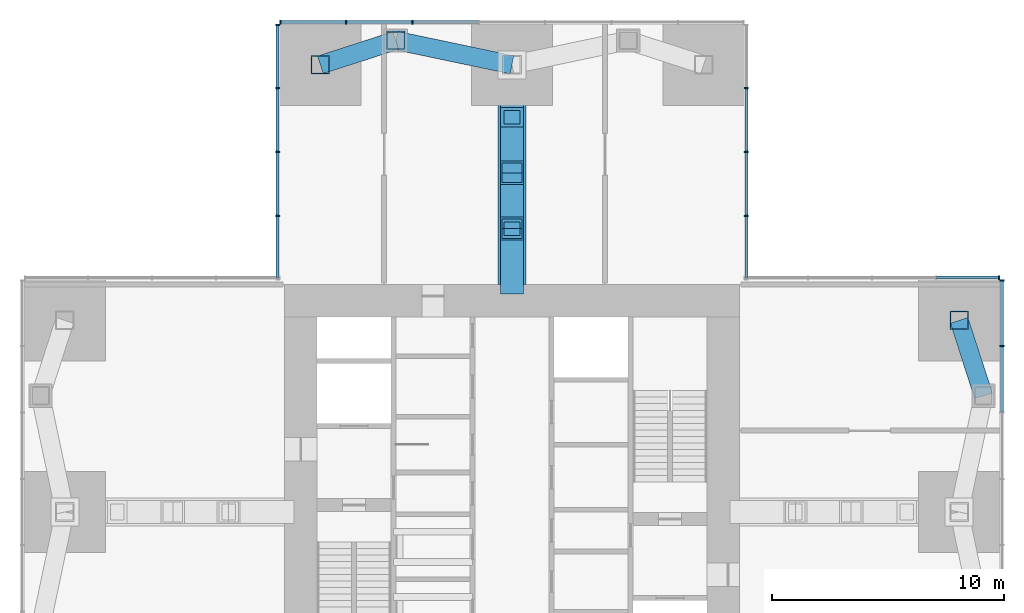
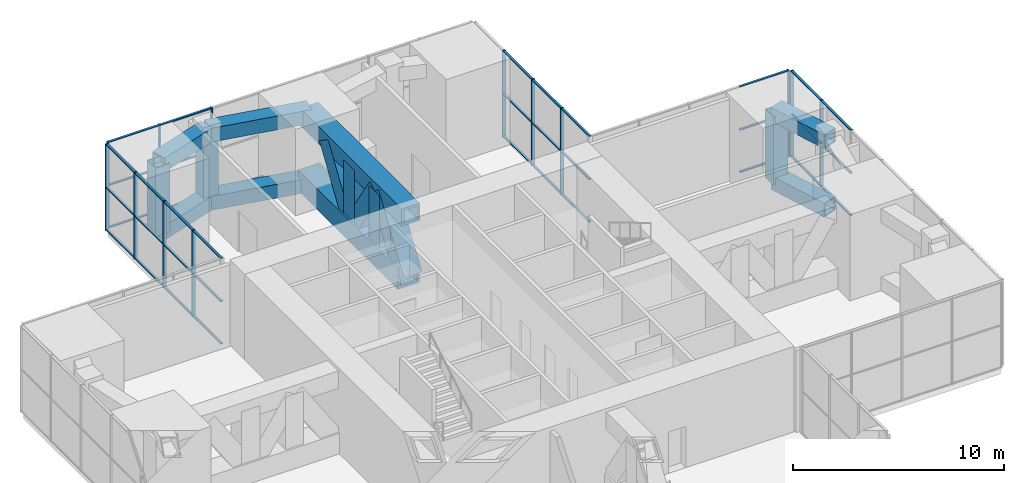
# One storey, part 6 of 12: 66 members, 5 elements without a shape of their own.
"""IFC4 building model written with IfcOpenShell, lengths in metres."""

import ifcopenshell
import ifcopenshell.guid

model = None  # the IFC model being written
_history = None  # IfcOwnerHistory: only IFC2X3 demands one
_inside = {}  # id of a spatial element -> (the spatial element, [elements in it])
_under = {}  # id of a project, library or spatial element -> (it, [spatial elements below it])
_declared = {}  # id of a project -> (the project, [libraries it declares])
_typed = {}  # id of a type object -> (the type object, [elements of that type])
_made_of = {}  # id of a material, layer set ... -> (it, [elements and type objects made of it])


def new_model(schema):
    """Start an empty IFC model of exactly this schema.

    Asked for "IFC4X3", IfcOpenShell would pick the latest addendum, in which some entities
    have other attributes; the version numbers below select the first issue.
    IFC2X3 requires an IfcOwnerHistory on every rooted entity: one is made here for all.
    """
    global model, _history
    if schema == "IFC4X3":
        model = ifcopenshell.file(schema_version=(4, 3, 0, 0))
    else:
        model = ifcopenshell.file(schema=schema)
    _inside.clear()
    _under.clear()
    _declared.clear()
    _typed.clear()
    _made_of.clear()
    _history = None
    if model.schema == "IFC2X3":
        org = make("IfcOrganization", Name="unknown")
        user = make(
            "IfcPersonAndOrganization",
            ThePerson=make("IfcPerson", FamilyName="unknown"),
            TheOrganization=org,
        )
        app = make(
            "IfcApplication",
            ApplicationDeveloper=org,
            Version="unknown",
            ApplicationFullName="unknown",
            ApplicationIdentifier="unknown",
        )
        _history = make(
            "IfcOwnerHistory",
            OwningUser=user,
            OwningApplication=app,
            ChangeAction="ADDED",
            CreationDate=0,
        )
    return model


def make(cls, **values):
    """One entity of the class cls with the attributes given. An attribute that is None is left unset."""
    return model.create_entity(
        cls, **{name: value for name, value in values.items() if value is not None}
    )


def rooted(cls, **values):
    """An entity with a GlobalId (a new one), such as an element, a storey or a relation."""
    return make(cls, GlobalId=ifcopenshell.guid.new(), OwnerHistory=_history, **values)


def si_unit(unit_type, name, prefix=None):
    """IfcSIUnit, for example si_unit("LENGTHUNIT", "METRE", prefix="MILLI")."""
    return make("IfcSIUnit", UnitType=unit_type, Prefix=prefix, Name=name)


def assignment(units):
    """IfcUnitAssignment: the units of a project."""
    return None if units is None else make("IfcUnitAssignment", Units=units)


def point(xyz):
    """IfcCartesianPoint."""
    return None if xyz is None else make("IfcCartesianPoint", Coordinates=xyz)


def direction(xyz):
    """IfcDirection."""
    return None if xyz is None else make("IfcDirection", DirectionRatios=xyz)


def frame(location, z_axis=None, x_axis=None):
    """IfcAxis2Placement3D, a coordinate frame: its origin and axes. An axis left out is left unset."""
    return make(
        "IfcAxis2Placement3D",
        Location=point(location),
        Axis=direction(z_axis),
        RefDirection=direction(x_axis),
    )


def frame_2d(location, x_axis=None):
    """IfcAxis2Placement2D, a coordinate frame in the plane: its origin and x axis."""
    return make(
        "IfcAxis2Placement2D", Location=point(location), RefDirection=direction(x_axis)
    )


def origin():
    """The frame at (0, 0, 0) with its axes left unset."""
    return frame((0.0, 0.0, 0.0))


def origin_2d():
    """The frame at (0, 0) in the plane with its x axis left unset."""
    return frame_2d((0.0, 0.0))


def place(relative_to, where):
    """IfcLocalPlacement: puts the frame where relative to a parent placement (None: the world)."""
    return make(
        "IfcLocalPlacement", PlacementRelTo=relative_to, RelativePlacement=where
    )


def context(
    kind, dimensions, precision=None, world=None, true_north=None, identifier=None
):
    """IfcGeometricRepresentationContext, for example the 3D "Model" context."""
    return make(
        "IfcGeometricRepresentationContext",
        ContextIdentifier=identifier,
        ContextType=kind,
        CoordinateSpaceDimension=dimensions,
        Precision=precision,
        WorldCoordinateSystem=world,
        TrueNorth=true_north,
    )


def subcontext(parent, identifier, kind, view, scale=None):
    """IfcGeometricRepresentationSubContext, for example "Body" below "Model"."""
    return make(
        "IfcGeometricRepresentationSubContext",
        ContextIdentifier=identifier,
        ContextType=kind,
        ParentContext=parent,
        TargetScale=scale,
        TargetView=view,
    )


def project(units=None, contexts=None):
    """IfcProject with its units and contexts."""
    return rooted(
        "IfcProject",
        Name="project",
        RepresentationContexts=contexts,
        UnitsInContext=assignment(units),
    )


def spatial(cls, under=None, at=None, **own):
    """A site, building, storey or space (cls), placed at a placement, below another one or the project."""
    s = rooted(cls, ObjectPlacement=at, **own)
    if under is not None:
        _under.setdefault(under.id(), (under, []))[1].append(s)
    return s


def profile(cls, at=None, kind="AREA", **sizes):
    """A parametric profile (cls). Its sizes go by their IFC names, for example OverallWidth=200.0."""
    return make(cls, ProfileType=kind, Position=at, **sizes)


def rectangle(**sizes):
    """IfcRectangleProfileDef."""
    return profile("IfcRectangleProfileDef", **sizes)


def hollow_rectangle(**sizes):
    """IfcRectangleHollowProfileDef."""
    return profile("IfcRectangleHollowProfileDef", **sizes)


def extrude(swept, where, along, depth):
    """IfcExtrudedAreaSolid: the profile swept, set in the frame where, extruded along a direction by depth."""
    return make(
        "IfcExtrudedAreaSolid",
        SweptArea=swept,
        Position=where,
        ExtrudedDirection=direction(along),
        Depth=depth,
    )


def shape(context_of_items, identifier, shape_type, items):
    """IfcShapeRepresentation: the items that make up one representation, for example the "Body"."""
    return make(
        "IfcShapeRepresentation",
        ContextOfItems=context_of_items,
        RepresentationIdentifier=identifier,
        RepresentationType=shape_type,
        Items=items,
    )


def material(Name=None, Category=None):
    """IfcMaterial."""
    return make("IfcMaterial", Name=Name, Category=Category)


def material_profile(
    of_material, cross_section, Name=None, Category=None, Priority=None
):
    """IfcMaterialProfile: a cross section and its material."""
    return make(
        "IfcMaterialProfile",
        Name=Name,
        Material=of_material,
        Profile=cross_section,
        Priority=Priority,
        Category=Category,
    )


def profile_set(profiles, Name=None, composite=None):
    """IfcMaterialProfileSet."""
    return make(
        "IfcMaterialProfileSet",
        Name=Name,
        MaterialProfiles=profiles,
        CompositeProfile=composite,
    )


def made_of(thing, what):
    """Note that an element or type object is made of a material, layer set ...; save() writes the relation."""
    if what is not None:
        _made_of.setdefault(what.id(), (what, []))[1].append(thing)
    return thing


def type_object(cls, material=None, **own):
    """A type object (cls), such as IfcWallType, which elements share."""
    return made_of(rooted(cls, **own), material)


def element(
    cls,
    number,
    at=None,
    inside=None,
    cuts=None,
    type_object=None,
    material=None,
    context=None,
    identifier="Body",
    shape_type=None,
    held_by="IfcProductDefinitionShape",
    body=None,
    shapes=None,
    **own,
):
    """One element of the class cls, such as IfcWall. Its Tag is "e" and its number.

    at: its placement. inside: the storey or other place that contains it. cuts: it is an
    opening in that element (IfcRelVoidsElement). A single representation is given by context,
    identifier, shape_type and body (its items); several are given by shapes. held_by: the class
    of the entity that holds the representations. save() writes the other relations.
    """
    e = rooted(cls, Tag="e%d" % number, ObjectPlacement=at, **own)
    if body is not None:
        shapes = [shape(context, identifier, shape_type, body)]
    if shapes is not None:
        e.Representation = make(held_by, Representations=shapes)
    if inside is not None:
        _inside.setdefault(inside.id(), (inside, []))[1].append(e)
    if cuts is not None:
        rooted(
            "IfcRelVoidsElement", RelatingBuildingElement=cuts, RelatedOpeningElement=e
        )
    if type_object is not None:
        _typed.setdefault(type_object.id(), (type_object, []))[1].append(e)
    return made_of(e, material)


def aggregate(whole, parts):
    """IfcRelAggregates: a whole, such as a stair, and the parts it consists of."""
    return rooted("IfcRelAggregates", RelatingObject=whole, RelatedObjects=parts)


def save(model, path):
    """Write the relations noted so far, then the file.

    IfcRelAggregates (storeys below a building ...), IfcRelContainedInSpatialStructure (elements
    in a storey), IfcRelDefinesByType, IfcRelAssociatesMaterial and IfcRelDeclares: one each for
    every whole, place, type object, material and project.
    """
    for whole, parts in _under.values():
        aggregate(whole, parts)
    for where, things in _inside.values():
        rooted(
            "IfcRelContainedInSpatialStructure",
            RelatedElements=things,
            RelatingStructure=where,
        )
    for kind, things in _typed.values():
        rooted("IfcRelDefinesByType", RelatedObjects=things, RelatingType=kind)
    for what, things in _made_of.values():
        rooted("IfcRelAssociatesMaterial", RelatedObjects=things, RelatingMaterial=what)
    for by, libraries in _declared.values():
        rooted("IfcRelDeclares", RelatingContext=by, RelatedDefinitions=libraries)
    model.write(path)


model = new_model("IFC4")

# Units and contexts
model_context = context("Model", 3, precision=1e-05, world=origin(), true_north=direction((0.0, 1.0)))
body_context = subcontext(model_context, "Body", "Model", "MODEL_VIEW")
ifc_project = project(units=[si_unit("LENGTHUNIT", "METRE"), si_unit("AREAUNIT", "SQUARE_METRE"), si_unit("VOLUMEUNIT", "CUBIC_METRE"), si_unit("PLANEANGLEUNIT", "RADIAN"), si_unit("MASSUNIT", "GRAM", prefix="KILO")], contexts=[model_context])

# Site, building, storey
site_placement = place(None, origin())
site = spatial("IfcSite", under=ifc_project, at=site_placement, CompositionType="ELEMENT")
building_placement = place(site_placement, origin())
building = spatial("IfcBuilding", under=site, at=building_placement, Name="Svetlomir Tower", CompositionType="ELEMENT")
storey_placement = place(building_placement, frame((0.0, 0.0, 234.5)))
storey = spatial("IfcBuildingStorey", under=building, at=storey_placement, Name="L56", CompositionType="ELEMENT", Elevation=234.5)

# Members
ifc_material_1 = material(Name="Steel S355", Category="steel")
ifc_material_profile_1 = material_profile(ifc_material_1, hollow_rectangle(XDim=0.800048828125, YDim=0.800048828125, WallThickness=0.050048828125, at=origin_2d()), Name="BOX 800x800x50")
ifc_profile_set_1 = profile_set([ifc_material_profile_1], Name="Steel S355")
member_type_1 = type_object("IfcMemberType", Name="BELT FRAME CHORD BOX 800x800x50", PredefinedType="CHORD", material=ifc_profile_set_1)
for number, where, z_axis, x_axis, name in (
    (1, (12.75, 40.25, 0.39990234375), (0.951566360503, 0.307443428225, 0.0), (-0.307443428225, 0.951566360503, 0.0), "Belt frame N L56 bottom chord 1"),
    (2, (12.75, 40.25, 4.35009765625), (0.951566360503, 0.307443428225, 0.0), (-0.307443428225, 0.951566360503, 0.0), "Belt frame N L56 top chord 1"),
):
    element("IfcMember", number, at=place(storey_placement, frame(where, z_axis=z_axis, x_axis=x_axis)), inside=storey, type_object=member_type_1, Name=name, PredefinedType="CHORD", context=body_context, shape_type="SweptSolid", body=[
        extrude(hollow_rectangle(XDim=0.800048828125, YDim=0.800048828125, WallThickness=0.050048828125, at=origin_2d()), origin(), (0.0, 0.0, 1.0), 3.41552734375),
    ])
for number, where, z_axis, x_axis, name in (
    (3, (16.0, 41.300048828125, 0.39990234375), (0.978651574329, -0.205526387753, 0.0), (0.205526387753, 0.978651574329, 0.0), "Belt frame N L56 bottom chord 2"),
    (4, (16.0, 41.300048828125, 4.35009765625), (0.978651574329, -0.205526387753, 0.0), (0.205526387753, 0.978651574329, 0.0), "Belt frame N L56 top chord 2"),
):
    element("IfcMember", number, at=place(storey_placement, frame(where, z_axis=z_axis, x_axis=x_axis)), inside=storey, type_object=member_type_1, Name=name, PredefinedType="CHORD", context=body_context, shape_type="SweptSolid", body=[
        extrude(hollow_rectangle(XDim=0.800048828125, YDim=0.800048828125, WallThickness=0.050048828125, at=origin_2d()), origin(), (0.0, 0.0, 1.0), 5.109130859375),
    ])
for number, where, z_axis, x_axis, name in (
    (5, (41.300048828125, 26.0, 0.39990234375), (-0.307443428225, 0.951566360503, 0.0), (-0.951566360503, -0.307443428225, 0.0), "Belt frame E L56 bottom chord 4"),
    (6, (41.300048828125, 26.0, 4.35009765625), (-0.307443428225, 0.951566360503, 0.0), (-0.951566360503, -0.307443428225, 0.0), "Belt frame E L56 top chord 4"),
):
    element("IfcMember", number, at=place(storey_placement, frame(where, z_axis=z_axis, x_axis=x_axis)), inside=storey, type_object=member_type_1, Name=name, PredefinedType="CHORD", context=body_context, shape_type="SweptSolid", body=[
        extrude(hollow_rectangle(XDim=0.800048828125, YDim=0.800048828125, WallThickness=0.050048828125, at=origin_2d()), origin(), (0.0, 0.0, 1.0), 3.41552734375),
    ])
ifc_material_2 = material(Name="Steel S355", Category="steel")
ifc_material_profile_2 = material_profile(ifc_material_2, hollow_rectangle(XDim=0.800048828125, YDim=0.800048828125, WallThickness=0.050048828125, at=origin_2d()), Name="BOX 800x800x50")
ifc_profile_set_2 = profile_set([ifc_material_profile_2], Name="Steel S355")
member_type_2 = type_object("IfcMemberType", Name="BELT FRAME POST BOX 800x800x50", PredefinedType="POST", material=ifc_profile_set_2)
for number, where, z_axis, x_axis, name in (
    (7, (12.75, 40.25, 0.39990234375), (0.0, 0.0, 1.0), (1.0, 0.0, 0.0), "Belt frame N L56 post 1"),
    (8, (16.0, 41.300048828125, 0.39990234375), (0.0, 0.0, 1.0), (1.0, 0.0, 0.0), "Belt frame N L56 post 2"),
    (9, (40.25, 29.25, 0.39990234375), (0.0, 0.0, 1.0), (1.0, 0.0, 0.0), "Belt frame E L56 post 5"),
):
    element("IfcMember", number, at=place(storey_placement, frame(where, z_axis=z_axis, x_axis=x_axis)), inside=storey, type_object=member_type_2, Name=name, PredefinedType="POST", context=body_context, shape_type="SweptSolid", body=[
        extrude(hollow_rectangle(XDim=0.800048828125, YDim=0.800048828125, WallThickness=0.050048828125, at=origin_2d()), origin(), (0.0, 0.0, 1.0), 3.9501953125),
    ])

# Curtain wall, members
ifc_material_3 = material(Name="Bronze anodised aluminium curtain wall", Category="aluminium")
curtain_wall_type = type_object("IfcCurtainWallType", Name="CURTAIN WALL CW3 PLANT LOUVRE", PredefinedType="NOTDEFINED", material=ifc_material_3)
curtain_wall_1_placement = place(storey_placement, origin())
curtain_wall_1 = element("IfcCurtainWall", 10, at=curtain_wall_1_placement, inside=storey, type_object=curtain_wall_type, Name="Curtain wall CW3 L56", PredefinedType="NOTDEFINED")
ifc_material_4 = material(Name="Bronze anodised aluminium", Category="aluminium")
ifc_material_profile_3 = material_profile(ifc_material_4, rectangle(XDim=0.06494140625, YDim=0.179931640625, at=origin_2d()), Name="AL 65x180")
ifc_profile_set_3 = profile_set([ifc_material_profile_3], Name="Bronze anodised aluminium 6063-T6")
member_type_3 = type_object("IfcMemberType", Name="CW3 MULLION 65x180", PredefinedType="MULLION", material=ifc_profile_set_3)
member_1_placement = place(storey_placement, frame((42.090087890625, 28.142822265625, 0.0), z_axis=(0.0, 0.0, 1.0), x_axis=(0.0, 1.0, 0.0)))
member_1 = element("IfcMember", 11, at=member_1_placement, type_object=member_type_3, Name="CW3 mullion 7", PredefinedType="MULLION", context=body_context, shape_type="SweptSolid", body=[
    extrude(rectangle(XDim=0.06494140625, YDim=0.179931640625, at=origin_2d()), origin(), (0.0, 0.0, 1.0), 5.0),
])
member_2_placement = place(storey_placement, frame((42.090087890625, 30.967529296875, 0.0), z_axis=(0.0, 0.0, 1.0), x_axis=(0.0, 1.0, 0.0)))
member_2 = element("IfcMember", 12, at=member_2_placement, type_object=member_type_3, Name="CW3 mullion 8", PredefinedType="MULLION", context=body_context, shape_type="SweptSolid", body=[
    extrude(rectangle(XDim=0.06494140625, YDim=0.179931640625, at=origin_2d()), origin(), (0.0, 0.0, 1.0), 5.0),
])

# Curtain wall, member
curtain_wall_2_placement = place(storey_placement, origin())
curtain_wall_2 = element("IfcCurtainWall", 13, at=curtain_wall_2_placement, inside=storey, type_object=curtain_wall_type, Name="Curtain wall CW3 L56", PredefinedType="NOTDEFINED")
member_3_placement = place(storey_placement, frame((41.967529296875, 31.090087890625, 0.0), z_axis=(0.0, 0.0, 1.0), x_axis=(-1.0, 0.0, 0.0)))
member_3 = element("IfcMember", 14, at=member_3_placement, type_object=member_type_3, Name="CW3 mullion 1", PredefinedType="MULLION", context=body_context, shape_type="SweptSolid", body=[
    extrude(rectangle(XDim=0.06494140625, YDim=0.179931640625, at=origin_2d()), origin(), (0.0, 0.0, 1.0), 5.0),
])

# Curtain wall, members
curtain_wall_3_placement = place(storey_placement, origin())
curtain_wall_3 = element("IfcCurtainWall", 15, at=curtain_wall_3_placement, inside=storey, type_object=curtain_wall_type, Name="Curtain wall CW3 L56", PredefinedType="NOTDEFINED")
member_4_placement = place(storey_placement, frame((31.090087890625, 33.75, 0.0), z_axis=(0.0, 0.0, 1.0), x_axis=(0.0, 1.0, 0.0)))
member_4 = element("IfcMember", 16, at=member_4_placement, type_object=member_type_3, Name="CW3 mullion 2", PredefinedType="MULLION", context=body_context, shape_type="SweptSolid", body=[
    extrude(rectangle(XDim=0.06494140625, YDim=0.179931640625, at=origin_2d()), origin(), (0.0, 0.0, 1.0), 5.0),
])
member_5_placement = place(storey_placement, frame((31.090087890625, 36.5, 0.0), z_axis=(0.0, 0.0, 1.0), x_axis=(0.0, 1.0, 0.0)))
member_5 = element("IfcMember", 17, at=member_5_placement, type_object=member_type_3, Name="CW3 mullion 3", PredefinedType="MULLION", context=body_context, shape_type="SweptSolid", body=[
    extrude(rectangle(XDim=0.06494140625, YDim=0.179931640625, at=origin_2d()), origin(), (0.0, 0.0, 1.0), 5.0),
])
member_6_placement = place(storey_placement, frame((31.090087890625, 39.25, 0.0), z_axis=(0.0, 0.0, 1.0), x_axis=(0.0, 1.0, 0.0)))
member_6 = element("IfcMember", 18, at=member_6_placement, type_object=member_type_3, Name="CW3 mullion 4", PredefinedType="MULLION", context=body_context, shape_type="SweptSolid", body=[
    extrude(rectangle(XDim=0.06494140625, YDim=0.179931640625, at=origin_2d()), origin(), (0.0, 0.0, 1.0), 5.0),
])

curtain_wall_4_placement = place(storey_placement, origin())
curtain_wall_4 = element("IfcCurtainWall", 19, at=curtain_wall_4_placement, inside=storey, type_object=curtain_wall_type, Name="Curtain wall CW3 L56", PredefinedType="NOTDEFINED")
member_7_placement = place(storey_placement, frame((16.71435546875, 42.090087890625, 0.0), z_axis=(0.0, 0.0, 1.0), x_axis=(-1.0, 0.0, 0.0)))
member_7 = element("IfcMember", 20, at=member_7_placement, type_object=member_type_3, Name="CW3 mullion 6", PredefinedType="MULLION", context=body_context, shape_type="SweptSolid", body=[
    extrude(rectangle(XDim=0.06494140625, YDim=0.179931640625, at=origin_2d()), origin(), (0.0, 0.0, 1.0), 5.0),
])
member_8_placement = place(storey_placement, frame((13.857177734375, 42.090087890625, 0.0), z_axis=(0.0, 0.0, 1.0), x_axis=(-1.0, 0.0, 0.0)))
member_8 = element("IfcMember", 21, at=member_8_placement, type_object=member_type_3, Name="CW3 mullion 7", PredefinedType="MULLION", context=body_context, shape_type="SweptSolid", body=[
    extrude(rectangle(XDim=0.06494140625, YDim=0.179931640625, at=origin_2d()), origin(), (0.0, 0.0, 1.0), 5.0),
])
member_9_placement = place(storey_placement, frame((11.032470703125, 42.090087890625, 0.0), z_axis=(0.0, 0.0, 1.0), x_axis=(-1.0, 0.0, 0.0)))
member_9 = element("IfcMember", 22, at=member_9_placement, type_object=member_type_3, Name="CW3 mullion 8", PredefinedType="MULLION", context=body_context, shape_type="SweptSolid", body=[
    extrude(rectangle(XDim=0.06494140625, YDim=0.179931640625, at=origin_2d()), origin(), (0.0, 0.0, 1.0), 5.0),
])

curtain_wall_5_placement = place(storey_placement, origin())
curtain_wall_5 = element("IfcCurtainWall", 23, at=curtain_wall_5_placement, inside=storey, type_object=curtain_wall_type, Name="Curtain wall CW3 L56", PredefinedType="NOTDEFINED")
member_10_placement = place(storey_placement, frame((10.909912109375, 41.967529296875, 0.0), z_axis=(0.0, 0.0, 1.0), x_axis=(0.0, -1.0, 0.0)))
member_10 = element("IfcMember", 24, at=member_10_placement, type_object=member_type_3, Name="CW3 mullion 1", PredefinedType="MULLION", context=body_context, shape_type="SweptSolid", body=[
    extrude(rectangle(XDim=0.06494140625, YDim=0.179931640625, at=origin_2d()), origin(), (0.0, 0.0, 1.0), 5.0),
])
member_11_placement = place(storey_placement, frame((10.909912109375, 39.25, 0.0), z_axis=(0.0, 0.0, 1.0), x_axis=(0.0, -1.0, 0.0)))
member_11 = element("IfcMember", 25, at=member_11_placement, type_object=member_type_3, Name="CW3 mullion 2", PredefinedType="MULLION", context=body_context, shape_type="SweptSolid", body=[
    extrude(rectangle(XDim=0.06494140625, YDim=0.179931640625, at=origin_2d()), origin(), (0.0, 0.0, 1.0), 5.0),
])
member_12_placement = place(storey_placement, frame((10.909912109375, 36.5, 0.0), z_axis=(0.0, 0.0, 1.0), x_axis=(0.0, -1.0, 0.0)))
member_12 = element("IfcMember", 26, at=member_12_placement, type_object=member_type_3, Name="CW3 mullion 3", PredefinedType="MULLION", context=body_context, shape_type="SweptSolid", body=[
    extrude(rectangle(XDim=0.06494140625, YDim=0.179931640625, at=origin_2d()), origin(), (0.0, 0.0, 1.0), 5.0),
])
member_13_placement = place(storey_placement, frame((10.909912109375, 33.75, 0.0), z_axis=(0.0, 0.0, 1.0), x_axis=(0.0, -1.0, 0.0)))
member_13 = element("IfcMember", 27, at=member_13_placement, type_object=member_type_3, Name="CW3 mullion 4", PredefinedType="MULLION", context=body_context, shape_type="SweptSolid", body=[
    extrude(rectangle(XDim=0.06494140625, YDim=0.179931640625, at=origin_2d()), origin(), (0.0, 0.0, 1.0), 5.0),
])

# Member
ifc_material_5 = material(Name="Bronze anodised aluminium", Category="aluminium")
ifc_material_profile_4 = material_profile(ifc_material_5, rectangle(XDim=0.1201171875, YDim=0.06494140625, at=origin_2d()), Name="AL 120x65")
ifc_profile_set_4 = profile_set([ifc_material_profile_4], Name="Bronze anodised aluminium 6063-T6")
member_type_4 = type_object("IfcMemberType", Name="CW3 TRANSOM 65x120", PredefinedType="USERDEFINED", material=ifc_profile_set_4)
member_14_placement = place(storey_placement, frame((42.090087890625, 25.318115234375, 0.032470703125), z_axis=(0.0, 1.0, 0.0), x_axis=(-1.0, 0.0, 0.0)))
member_14 = element("IfcMember", 28, at=member_14_placement, type_object=member_type_4, Name="CW3 transom 6.1", ObjectType="TRANSOM", PredefinedType="USERDEFINED", context=body_context, shape_type="SweptSolid", body=[
    extrude(rectangle(XDim=0.1201171875, YDim=0.06494140625, at=origin_2d()), origin(), (0.0, 0.0, 1.0), 2.792236328125),
])

member_15_placement = place(storey_placement, frame((42.090087890625, 25.318115234375, 2.483642578125), z_axis=(0.0, 1.0, 0.0), x_axis=(-1.0, 0.0, 0.0)))
member_15 = element("IfcMember", 29, at=member_15_placement, type_object=member_type_4, Name="CW3 transom 6.2", ObjectType="TRANSOM", PredefinedType="USERDEFINED", context=body_context, shape_type="SweptSolid", body=[
    extrude(rectangle(XDim=0.1201171875, YDim=0.06494140625, at=origin_2d()), origin(), (0.0, 0.0, 1.0), 2.792236328125),
])

member_16_placement = place(storey_placement, frame((42.090087890625, 25.318115234375, 4.967529296875), z_axis=(0.0, 1.0, 0.0), x_axis=(-1.0, 0.0, 0.0)))
member_16 = element("IfcMember", 30, at=member_16_placement, type_object=member_type_4, Name="CW3 transom 6.3", ObjectType="TRANSOM", PredefinedType="USERDEFINED", context=body_context, shape_type="SweptSolid", body=[
    extrude(rectangle(XDim=0.1201171875, YDim=0.06494140625, at=origin_2d()), origin(), (0.0, 0.0, 1.0), 2.792236328125),
])

member_17_placement = place(storey_placement, frame((42.090087890625, 28.17529296875, 0.032470703125), z_axis=(0.0, 1.0, 0.0), x_axis=(-1.0, 0.0, 0.0)))
member_17 = element("IfcMember", 31, at=member_17_placement, type_object=member_type_4, Name="CW3 transom 7.1", ObjectType="TRANSOM", PredefinedType="USERDEFINED", context=body_context, shape_type="SweptSolid", body=[
    extrude(rectangle(XDim=0.1201171875, YDim=0.06494140625, at=origin_2d()), origin(), (0.0, 0.0, 1.0), 2.759765625),
])

member_18_placement = place(storey_placement, frame((42.090087890625, 28.17529296875, 2.483642578125), z_axis=(0.0, 1.0, 0.0), x_axis=(-1.0, 0.0, 0.0)))
member_18 = element("IfcMember", 32, at=member_18_placement, type_object=member_type_4, Name="CW3 transom 7.2", ObjectType="TRANSOM", PredefinedType="USERDEFINED", context=body_context, shape_type="SweptSolid", body=[
    extrude(rectangle(XDim=0.1201171875, YDim=0.06494140625, at=origin_2d()), origin(), (0.0, 0.0, 1.0), 2.759765625),
])

member_19_placement = place(storey_placement, frame((42.090087890625, 28.17529296875, 4.967529296875), z_axis=(0.0, 1.0, 0.0), x_axis=(-1.0, 0.0, 0.0)))
member_19 = element("IfcMember", 33, at=member_19_placement, type_object=member_type_4, Name="CW3 transom 7.3", ObjectType="TRANSOM", PredefinedType="USERDEFINED", context=body_context, shape_type="SweptSolid", body=[
    extrude(rectangle(XDim=0.1201171875, YDim=0.06494140625, at=origin_2d()), origin(), (0.0, 0.0, 1.0), 2.759765625),
])

aggregate(curtain_wall_1, [member_1, member_2, member_14, member_15, member_16, member_17, member_18, member_19])

member_20_placement = place(storey_placement, frame((41.93505859375, 31.090087890625, 0.032470703125), z_axis=(-1.0, 0.0, 0.0), x_axis=(0.0, -1.0, 0.0)))
member_20 = element("IfcMember", 34, at=member_20_placement, type_object=member_type_4, Name="CW3 transom 1.1", ObjectType="TRANSOM", PredefinedType="USERDEFINED", context=body_context, shape_type="SweptSolid", body=[
    extrude(rectangle(XDim=0.1201171875, YDim=0.06494140625, at=origin_2d()), origin(), (0.0, 0.0, 1.0), 2.652587890625),
])

member_21_placement = place(storey_placement, frame((41.93505859375, 31.090087890625, 2.483642578125), z_axis=(-1.0, 0.0, 0.0), x_axis=(0.0, -1.0, 0.0)))
member_21 = element("IfcMember", 35, at=member_21_placement, type_object=member_type_4, Name="CW3 transom 1.2", ObjectType="TRANSOM", PredefinedType="USERDEFINED", context=body_context, shape_type="SweptSolid", body=[
    extrude(rectangle(XDim=0.1201171875, YDim=0.06494140625, at=origin_2d()), origin(), (0.0, 0.0, 1.0), 2.652587890625),
])

member_22_placement = place(storey_placement, frame((41.93505859375, 31.090087890625, 4.967529296875), z_axis=(-1.0, 0.0, 0.0), x_axis=(0.0, -1.0, 0.0)))
member_22 = element("IfcMember", 36, at=member_22_placement, type_object=member_type_4, Name="CW3 transom 1.3", ObjectType="TRANSOM", PredefinedType="USERDEFINED", context=body_context, shape_type="SweptSolid", body=[
    extrude(rectangle(XDim=0.1201171875, YDim=0.06494140625, at=origin_2d()), origin(), (0.0, 0.0, 1.0), 2.652587890625),
])

aggregate(curtain_wall_2, [member_3, member_20, member_21, member_22])

member_23_placement = place(storey_placement, frame((31.090087890625, 31.06494140625, 0.032470703125), z_axis=(0.0, 1.0, 0.0), x_axis=(-1.0, 0.0, 0.0)))
member_23 = element("IfcMember", 37, at=member_23_placement, type_object=member_type_4, Name="CW3 transom 1.1", ObjectType="TRANSOM", PredefinedType="USERDEFINED", context=body_context, shape_type="SweptSolid", body=[
    extrude(rectangle(XDim=0.1201171875, YDim=0.06494140625, at=origin_2d()), origin(), (0.0, 0.0, 1.0), 2.652587890625),
])

member_24_placement = place(storey_placement, frame((31.090087890625, 31.06494140625, 2.483642578125), z_axis=(0.0, 1.0, 0.0), x_axis=(-1.0, 0.0, 0.0)))
member_24 = element("IfcMember", 38, at=member_24_placement, type_object=member_type_4, Name="CW3 transom 1.2", ObjectType="TRANSOM", PredefinedType="USERDEFINED", context=body_context, shape_type="SweptSolid", body=[
    extrude(rectangle(XDim=0.1201171875, YDim=0.06494140625, at=origin_2d()), origin(), (0.0, 0.0, 1.0), 2.652587890625),
])

member_25_placement = place(storey_placement, frame((31.090087890625, 31.06494140625, 4.967529296875), z_axis=(0.0, 1.0, 0.0), x_axis=(-1.0, 0.0, 0.0)))
member_25 = element("IfcMember", 39, at=member_25_placement, type_object=member_type_4, Name="CW3 transom 1.3", ObjectType="TRANSOM", PredefinedType="USERDEFINED", context=body_context, shape_type="SweptSolid", body=[
    extrude(rectangle(XDim=0.1201171875, YDim=0.06494140625, at=origin_2d()), origin(), (0.0, 0.0, 1.0), 2.652587890625),
])

member_26_placement = place(storey_placement, frame((31.090087890625, 33.782470703125, 0.032470703125), z_axis=(0.0, 1.0, 0.0), x_axis=(-1.0, 0.0, 0.0)))
member_26 = element("IfcMember", 40, at=member_26_placement, type_object=member_type_4, Name="CW3 transom 2.1", ObjectType="TRANSOM", PredefinedType="USERDEFINED", context=body_context, shape_type="SweptSolid", body=[
    extrude(rectangle(XDim=0.1201171875, YDim=0.06494140625, at=origin_2d()), origin(), (0.0, 0.0, 1.0), 2.68505859375),
])

member_27_placement = place(storey_placement, frame((31.090087890625, 33.782470703125, 2.483642578125), z_axis=(0.0, 1.0, 0.0), x_axis=(-1.0, 0.0, 0.0)))
member_27 = element("IfcMember", 41, at=member_27_placement, type_object=member_type_4, Name="CW3 transom 2.2", ObjectType="TRANSOM", PredefinedType="USERDEFINED", context=body_context, shape_type="SweptSolid", body=[
    extrude(rectangle(XDim=0.1201171875, YDim=0.06494140625, at=origin_2d()), origin(), (0.0, 0.0, 1.0), 2.68505859375),
])

member_28_placement = place(storey_placement, frame((31.090087890625, 33.782470703125, 4.967529296875), z_axis=(0.0, 1.0, 0.0), x_axis=(-1.0, 0.0, 0.0)))
member_28 = element("IfcMember", 42, at=member_28_placement, type_object=member_type_4, Name="CW3 transom 2.3", ObjectType="TRANSOM", PredefinedType="USERDEFINED", context=body_context, shape_type="SweptSolid", body=[
    extrude(rectangle(XDim=0.1201171875, YDim=0.06494140625, at=origin_2d()), origin(), (0.0, 0.0, 1.0), 2.68505859375),
])

member_29_placement = place(storey_placement, frame((31.090087890625, 36.532470703125, 0.032470703125), z_axis=(0.0, 1.0, 0.0), x_axis=(-1.0, 0.0, 0.0)))
member_29 = element("IfcMember", 43, at=member_29_placement, type_object=member_type_4, Name="CW3 transom 3.1", ObjectType="TRANSOM", PredefinedType="USERDEFINED", context=body_context, shape_type="SweptSolid", body=[
    extrude(rectangle(XDim=0.1201171875, YDim=0.06494140625, at=origin_2d()), origin(), (0.0, 0.0, 1.0), 2.68505859375),
])

member_30_placement = place(storey_placement, frame((31.090087890625, 36.532470703125, 2.483642578125), z_axis=(0.0, 1.0, 0.0), x_axis=(-1.0, 0.0, 0.0)))
member_30 = element("IfcMember", 44, at=member_30_placement, type_object=member_type_4, Name="CW3 transom 3.2", ObjectType="TRANSOM", PredefinedType="USERDEFINED", context=body_context, shape_type="SweptSolid", body=[
    extrude(rectangle(XDim=0.1201171875, YDim=0.06494140625, at=origin_2d()), origin(), (0.0, 0.0, 1.0), 2.68505859375),
])

member_31_placement = place(storey_placement, frame((31.090087890625, 36.532470703125, 4.967529296875), z_axis=(0.0, 1.0, 0.0), x_axis=(-1.0, 0.0, 0.0)))
member_31 = element("IfcMember", 45, at=member_31_placement, type_object=member_type_4, Name="CW3 transom 3.3", ObjectType="TRANSOM", PredefinedType="USERDEFINED", context=body_context, shape_type="SweptSolid", body=[
    extrude(rectangle(XDim=0.1201171875, YDim=0.06494140625, at=origin_2d()), origin(), (0.0, 0.0, 1.0), 2.68505859375),
])

aggregate(curtain_wall_3, [member_4, member_5, member_6, member_23, member_24, member_25, member_26, member_27, member_28, member_29, member_30, member_31])

member_32_placement = place(storey_placement, frame((19.538818359375, 42.090087890625, 0.032470703125), z_axis=(-1.0, 0.0, 0.0), x_axis=(0.0, -1.0, 0.0)))
member_32 = element("IfcMember", 46, at=member_32_placement, type_object=member_type_4, Name="CW3 transom 5.1", ObjectType="TRANSOM", PredefinedType="USERDEFINED", context=body_context, shape_type="SweptSolid", body=[
    extrude(rectangle(XDim=0.1201171875, YDim=0.06494140625, at=origin_2d()), origin(), (0.0, 0.0, 1.0), 2.7919921875),
])

member_33_placement = place(storey_placement, frame((16.681884765625, 42.090087890625, 0.032470703125), z_axis=(-1.0, 0.0, 0.0), x_axis=(0.0, -1.0, 0.0)))
member_33 = element("IfcMember", 47, at=member_33_placement, type_object=member_type_4, Name="CW3 transom 6.1", ObjectType="TRANSOM", PredefinedType="USERDEFINED", context=body_context, shape_type="SweptSolid", body=[
    extrude(rectangle(XDim=0.1201171875, YDim=0.06494140625, at=origin_2d()), origin(), (0.0, 0.0, 1.0), 2.792236328125),
])

member_34_placement = place(storey_placement, frame((16.681884765625, 42.090087890625, 2.483642578125), z_axis=(-1.0, 0.0, 0.0), x_axis=(0.0, -1.0, 0.0)))
member_34 = element("IfcMember", 48, at=member_34_placement, type_object=member_type_4, Name="CW3 transom 6.2", ObjectType="TRANSOM", PredefinedType="USERDEFINED", context=body_context, shape_type="SweptSolid", body=[
    extrude(rectangle(XDim=0.1201171875, YDim=0.06494140625, at=origin_2d()), origin(), (0.0, 0.0, 1.0), 2.792236328125),
])

member_35_placement = place(storey_placement, frame((16.681884765625, 42.090087890625, 4.967529296875), z_axis=(-1.0, 0.0, 0.0), x_axis=(0.0, -1.0, 0.0)))
member_35 = element("IfcMember", 49, at=member_35_placement, type_object=member_type_4, Name="CW3 transom 6.3", ObjectType="TRANSOM", PredefinedType="USERDEFINED", context=body_context, shape_type="SweptSolid", body=[
    extrude(rectangle(XDim=0.1201171875, YDim=0.06494140625, at=origin_2d()), origin(), (0.0, 0.0, 1.0), 2.792236328125),
])

member_36_placement = place(storey_placement, frame((13.82470703125, 42.090087890625, 0.032470703125), z_axis=(-1.0, 0.0, 0.0), x_axis=(0.0, -1.0, 0.0)))
member_36 = element("IfcMember", 50, at=member_36_placement, type_object=member_type_4, Name="CW3 transom 7.1", ObjectType="TRANSOM", PredefinedType="USERDEFINED", context=body_context, shape_type="SweptSolid", body=[
    extrude(rectangle(XDim=0.1201171875, YDim=0.06494140625, at=origin_2d()), origin(), (0.0, 0.0, 1.0), 2.759765625),
])

member_37_placement = place(storey_placement, frame((13.82470703125, 42.090087890625, 2.483642578125), z_axis=(-1.0, 0.0, 0.0), x_axis=(0.0, -1.0, 0.0)))
member_37 = element("IfcMember", 51, at=member_37_placement, type_object=member_type_4, Name="CW3 transom 7.2", ObjectType="TRANSOM", PredefinedType="USERDEFINED", context=body_context, shape_type="SweptSolid", body=[
    extrude(rectangle(XDim=0.1201171875, YDim=0.06494140625, at=origin_2d()), origin(), (0.0, 0.0, 1.0), 2.759765625),
])

member_38_placement = place(storey_placement, frame((13.82470703125, 42.090087890625, 4.967529296875), z_axis=(-1.0, 0.0, 0.0), x_axis=(0.0, -1.0, 0.0)))
member_38 = element("IfcMember", 52, at=member_38_placement, type_object=member_type_4, Name="CW3 transom 7.3", ObjectType="TRANSOM", PredefinedType="USERDEFINED", context=body_context, shape_type="SweptSolid", body=[
    extrude(rectangle(XDim=0.1201171875, YDim=0.06494140625, at=origin_2d()), origin(), (0.0, 0.0, 1.0), 2.759765625),
])

aggregate(curtain_wall_4, [member_7, member_8, member_9, member_32, member_33, member_34, member_35, member_36, member_37, member_38])

member_39_placement = place(storey_placement, frame((10.909912109375, 41.93505859375, 0.032470703125), z_axis=(0.0, -1.0, 0.0), x_axis=(1.0, 0.0, 0.0)))
member_39 = element("IfcMember", 53, at=member_39_placement, type_object=member_type_4, Name="CW3 transom 1.1", ObjectType="TRANSOM", PredefinedType="USERDEFINED", context=body_context, shape_type="SweptSolid", body=[
    extrude(rectangle(XDim=0.1201171875, YDim=0.06494140625, at=origin_2d()), origin(), (0.0, 0.0, 1.0), 2.652587890625),
])

member_40_placement = place(storey_placement, frame((10.909912109375, 41.93505859375, 2.483642578125), z_axis=(0.0, -1.0, 0.0), x_axis=(1.0, 0.0, 0.0)))
member_40 = element("IfcMember", 54, at=member_40_placement, type_object=member_type_4, Name="CW3 transom 1.2", ObjectType="TRANSOM", PredefinedType="USERDEFINED", context=body_context, shape_type="SweptSolid", body=[
    extrude(rectangle(XDim=0.1201171875, YDim=0.06494140625, at=origin_2d()), origin(), (0.0, 0.0, 1.0), 2.652587890625),
])

member_41_placement = place(storey_placement, frame((10.909912109375, 41.93505859375, 4.967529296875), z_axis=(0.0, -1.0, 0.0), x_axis=(1.0, 0.0, 0.0)))
member_41 = element("IfcMember", 55, at=member_41_placement, type_object=member_type_4, Name="CW3 transom 1.3", ObjectType="TRANSOM", PredefinedType="USERDEFINED", context=body_context, shape_type="SweptSolid", body=[
    extrude(rectangle(XDim=0.1201171875, YDim=0.06494140625, at=origin_2d()), origin(), (0.0, 0.0, 1.0), 2.652587890625),
])

member_42_placement = place(storey_placement, frame((10.909912109375, 39.217529296875, 0.032470703125), z_axis=(0.0, -1.0, 0.0), x_axis=(1.0, 0.0, 0.0)))
member_42 = element("IfcMember", 56, at=member_42_placement, type_object=member_type_4, Name="CW3 transom 2.1", ObjectType="TRANSOM", PredefinedType="USERDEFINED", context=body_context, shape_type="SweptSolid", body=[
    extrude(rectangle(XDim=0.1201171875, YDim=0.06494140625, at=origin_2d()), origin(), (0.0, 0.0, 1.0), 2.68505859375),
])

member_43_placement = place(storey_placement, frame((10.909912109375, 39.217529296875, 2.483642578125), z_axis=(0.0, -1.0, 0.0), x_axis=(1.0, 0.0, 0.0)))
member_43 = element("IfcMember", 57, at=member_43_placement, type_object=member_type_4, Name="CW3 transom 2.2", ObjectType="TRANSOM", PredefinedType="USERDEFINED", context=body_context, shape_type="SweptSolid", body=[
    extrude(rectangle(XDim=0.1201171875, YDim=0.06494140625, at=origin_2d()), origin(), (0.0, 0.0, 1.0), 2.68505859375),
])

member_44_placement = place(storey_placement, frame((10.909912109375, 39.217529296875, 4.967529296875), z_axis=(0.0, -1.0, 0.0), x_axis=(1.0, 0.0, 0.0)))
member_44 = element("IfcMember", 58, at=member_44_placement, type_object=member_type_4, Name="CW3 transom 2.3", ObjectType="TRANSOM", PredefinedType="USERDEFINED", context=body_context, shape_type="SweptSolid", body=[
    extrude(rectangle(XDim=0.1201171875, YDim=0.06494140625, at=origin_2d()), origin(), (0.0, 0.0, 1.0), 2.68505859375),
])

member_45_placement = place(storey_placement, frame((10.909912109375, 36.467529296875, 0.032470703125), z_axis=(0.0, -1.0, 0.0), x_axis=(1.0, 0.0, 0.0)))
member_45 = element("IfcMember", 59, at=member_45_placement, type_object=member_type_4, Name="CW3 transom 3.1", ObjectType="TRANSOM", PredefinedType="USERDEFINED", context=body_context, shape_type="SweptSolid", body=[
    extrude(rectangle(XDim=0.1201171875, YDim=0.06494140625, at=origin_2d()), origin(), (0.0, 0.0, 1.0), 2.68505859375),
])

member_46_placement = place(storey_placement, frame((10.909912109375, 36.467529296875, 2.483642578125), z_axis=(0.0, -1.0, 0.0), x_axis=(1.0, 0.0, 0.0)))
member_46 = element("IfcMember", 60, at=member_46_placement, type_object=member_type_4, Name="CW3 transom 3.2", ObjectType="TRANSOM", PredefinedType="USERDEFINED", context=body_context, shape_type="SweptSolid", body=[
    extrude(rectangle(XDim=0.1201171875, YDim=0.06494140625, at=origin_2d()), origin(), (0.0, 0.0, 1.0), 2.68505859375),
])

member_47_placement = place(storey_placement, frame((10.909912109375, 36.467529296875, 4.967529296875), z_axis=(0.0, -1.0, 0.0), x_axis=(1.0, 0.0, 0.0)))
member_47 = element("IfcMember", 61, at=member_47_placement, type_object=member_type_4, Name="CW3 transom 3.3", ObjectType="TRANSOM", PredefinedType="USERDEFINED", context=body_context, shape_type="SweptSolid", body=[
    extrude(rectangle(XDim=0.1201171875, YDim=0.06494140625, at=origin_2d()), origin(), (0.0, 0.0, 1.0), 2.68505859375),
])

member_48_placement = place(storey_placement, frame((10.909912109375, 33.717529296875, 0.032470703125), z_axis=(0.0, -1.0, 0.0), x_axis=(1.0, 0.0, 0.0)))
member_48 = element("IfcMember", 62, at=member_48_placement, type_object=member_type_4, Name="CW3 transom 4.1", ObjectType="TRANSOM", PredefinedType="USERDEFINED", context=body_context, shape_type="SweptSolid", body=[
    extrude(rectangle(XDim=0.1201171875, YDim=0.06494140625, at=origin_2d()), origin(), (0.0, 0.0, 1.0), 2.652587890625),
])

member_49_placement = place(storey_placement, frame((10.909912109375, 33.717529296875, 2.483642578125), z_axis=(0.0, -1.0, 0.0), x_axis=(1.0, 0.0, 0.0)))
member_49 = element("IfcMember", 63, at=member_49_placement, type_object=member_type_4, Name="CW3 transom 4.2", ObjectType="TRANSOM", PredefinedType="USERDEFINED", context=body_context, shape_type="SweptSolid", body=[
    extrude(rectangle(XDim=0.1201171875, YDim=0.06494140625, at=origin_2d()), origin(), (0.0, 0.0, 1.0), 2.652587890625),
])

member_50_placement = place(storey_placement, frame((10.909912109375, 33.717529296875, 4.967529296875), z_axis=(0.0, -1.0, 0.0), x_axis=(1.0, 0.0, 0.0)))
member_50 = element("IfcMember", 64, at=member_50_placement, type_object=member_type_4, Name="CW3 transom 4.3", ObjectType="TRANSOM", PredefinedType="USERDEFINED", context=body_context, shape_type="SweptSolid", body=[
    extrude(rectangle(XDim=0.1201171875, YDim=0.06494140625, at=origin_2d()), origin(), (0.0, 0.0, 1.0), 2.652587890625),
])

aggregate(curtain_wall_5, [member_10, member_11, member_12, member_13, member_39, member_40, member_41, member_42, member_43, member_44, member_45, member_46, member_47, member_48, member_49, member_50])

# Members
ifc_material_6 = material(Name="Steel S355", Category="steel")
ifc_material_profile_5 = material_profile(ifc_material_6, hollow_rectangle(XDim=1.0, YDim=1.0, WallThickness=0.1201171875, at=origin_2d()), Name="BOX 1000x1000x120")
ifc_profile_set_5 = profile_set([ifc_material_profile_5], Name="Steel S355")
member_type_5 = type_object("IfcMemberType", Name="OUTRIGGER CHORD BOX 1000x1000x120", PredefinedType="CHORD", material=ifc_profile_set_5)
member_51_placement = place(storey_placement, frame((21.0, 30.60009765625, 4.25), z_axis=(0.0, 1.0, 0.0), x_axis=(-1.0, 0.0, 0.0)))
element("IfcMember", 65, at=member_51_placement, inside=storey, type_object=member_type_5, Name="Outrigger N L56 top chord", PredefinedType="CHORD", context=body_context, shape_type="SweptSolid", body=[
    extrude(hollow_rectangle(XDim=1.0, YDim=1.0, WallThickness=0.1201171875, at=origin_2d()), origin(), (0.0, 0.0, 1.0), 9.64990234375),
])
ifc_material_7 = material(Name="Steel S355", Category="steel")
ifc_material_profile_6 = material_profile(ifc_material_7, hollow_rectangle(XDim=1.199951171875, YDim=1.199951171875, WallThickness=0.14990234375, at=origin_2d()), Name="BOX 1200x1200x150")
ifc_profile_set_6 = profile_set([ifc_material_profile_6], Name="Steel S355")
member_type_6 = type_object("IfcMemberType", Name="OUTRIGGER CHORD BOX 1200x1200x150", PredefinedType="CHORD", material=ifc_profile_set_6)
member_52_placement = place(storey_placement, frame((21.0, 30.800048828125, 0.60009765625), z_axis=(0.0, 1.0, 0.0), x_axis=(-1.0, 0.0, 0.0)))
element("IfcMember", 66, at=member_52_placement, inside=storey, type_object=member_type_6, Name="Outrigger N L56 bottom chord", PredefinedType="CHORD", context=body_context, shape_type="SweptSolid", body=[
    extrude(hollow_rectangle(XDim=1.199951171875, YDim=1.199951171875, WallThickness=0.14990234375, at=origin_2d()), origin(), (0.0, 0.0, 1.0), 9.449951171875),
])
ifc_material_8 = material(Name="Steel S355", Category="steel")
ifc_material_profile_7 = material_profile(ifc_material_8, hollow_rectangle(XDim=1.0, YDim=1.0, WallThickness=0.14990234375, at=origin_2d()), Name="BOX 1000x1000x150")
ifc_profile_set_7 = profile_set([ifc_material_profile_7], Name="Steel S355")
member_type_7 = type_object("IfcMemberType", Name="OUTRIGGER DIAGONAL BOX 1000x1000x150", PredefinedType="BRACE", material=ifc_profile_set_7)
member_53_placement = place(storey_placement, frame((21.0, 30.800048828125, 0.60009765625), z_axis=(0.0, 0.549400918172, 0.835558873516), x_axis=(-1.0, 0.0, 0.0)))
element("IfcMember", 67, at=member_53_placement, inside=storey, type_object=member_type_7, Name="Outrigger N L56 diagonal 1", PredefinedType="BRACE", context=body_context, shape_type="SweptSolid", body=[
    extrude(hollow_rectangle(XDim=1.0, YDim=1.0, WallThickness=0.14990234375, at=origin_2d()), origin(), (0.0, 0.0, 1.0), 4.3681640625),
])
member_54_placement = place(storey_placement, frame((21.0, 33.199951171875, 4.25), z_axis=(0.0, 0.549439936618, -0.835533216604), x_axis=(-1.0, 0.0, 0.0)))
element("IfcMember", 68, at=member_54_placement, inside=storey, type_object=member_type_7, Name="Outrigger N L56 diagonal 2", PredefinedType="BRACE", context=body_context, shape_type="SweptSolid", body=[
    extrude(hollow_rectangle(XDim=1.0, YDim=1.0, WallThickness=0.14990234375, at=origin_2d()), origin(), (0.0, 0.0, 1.0), 4.368408203125),
])
member_55_placement = place(storey_placement, frame((21.0, 35.60009765625, 0.60009765625), z_axis=(0.0, 0.549400918172, 0.835558873516), x_axis=(-1.0, 0.0, 0.0)))
element("IfcMember", 69, at=member_55_placement, inside=storey, type_object=member_type_7, Name="Outrigger N L56 diagonal 3", PredefinedType="BRACE", context=body_context, shape_type="SweptSolid", body=[
    extrude(hollow_rectangle(XDim=1.0, YDim=1.0, WallThickness=0.14990234375, at=origin_2d()), origin(), (0.0, 0.0, 1.0), 4.3681640625),
])
ifc_material_9 = material(Name="Steel S355", Category="steel")
ifc_material_profile_8 = material_profile(ifc_material_9, hollow_rectangle(XDim=1.0, YDim=1.0, WallThickness=0.080078125, at=origin_2d()), Name="BOX 1000x1000x80")
ifc_profile_set_8 = profile_set([ifc_material_profile_8], Name="Steel S355")
member_type_8 = type_object("IfcMemberType", Name="OUTRIGGER POST BOX 1000x1000x80", PredefinedType="POST", material=ifc_profile_set_8)
for number, where, z_axis, x_axis, name in (
    (70, (21.0, 33.199951171875, 0.60009765625), (0.0, 0.0, 1.0), (1.0, 0.0, 0.0), "Outrigger N L56 post 1"),
    (71, (21.0, 35.60009765625, 0.60009765625), (0.0, 0.0, 1.0), (1.0, 0.0, 0.0), "Outrigger N L56 post 2"),
):
    element("IfcMember", number, at=place(storey_placement, frame(where, z_axis=z_axis, x_axis=x_axis)), inside=storey, type_object=member_type_8, Name=name, PredefinedType="POST", context=body_context, shape_type="SweptSolid", body=[
        extrude(hollow_rectangle(XDim=1.0, YDim=1.0, WallThickness=0.080078125, at=origin_2d()), origin(), (0.0, 0.0, 1.0), 3.64990234375),
    ])

save(model, "model.ifc")
